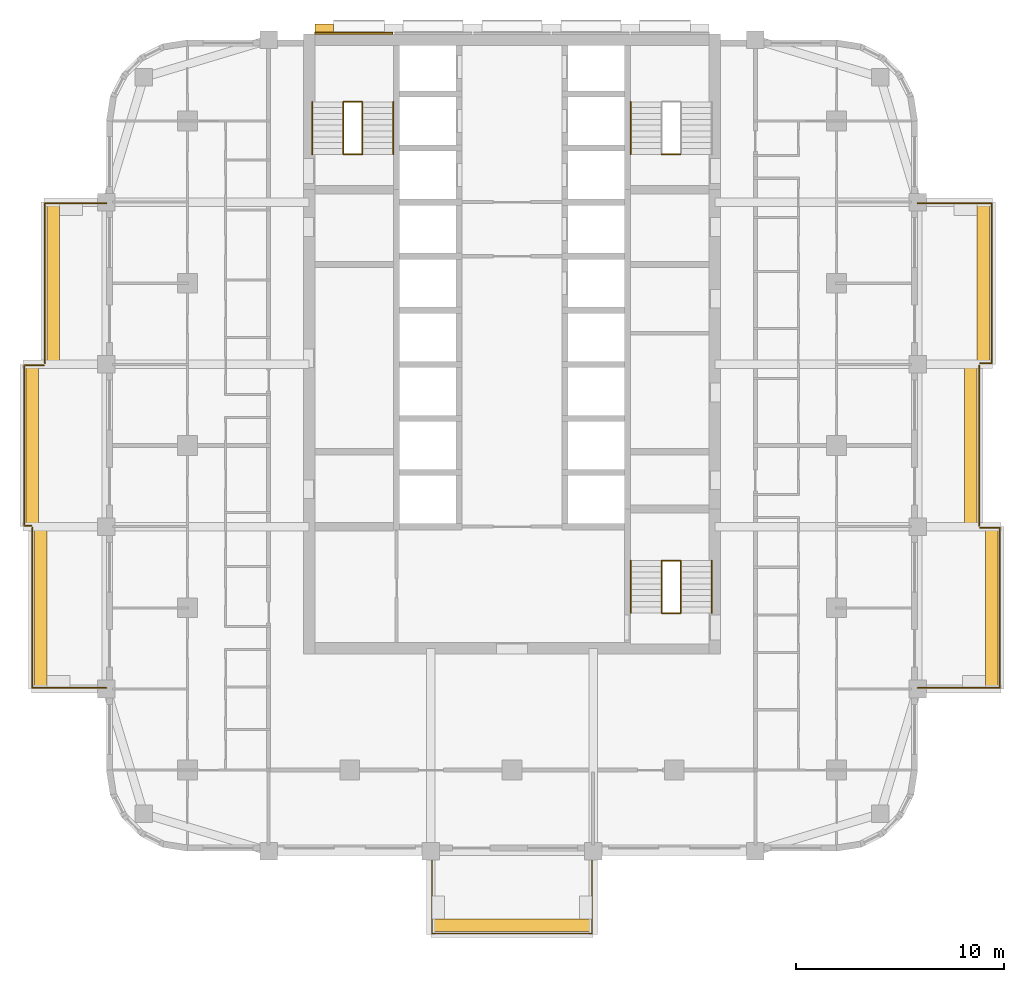
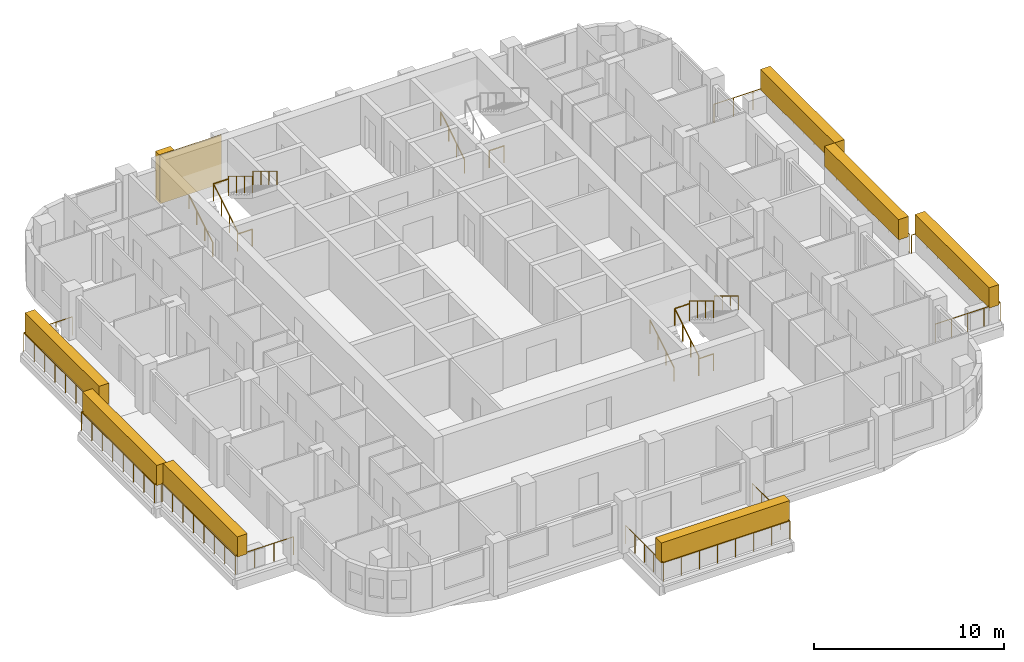
# One storey, part 11 of 12: 21 railings, 9 coverings, 3 elements without a shape of their own.
"""IFC4 building model written with IfcOpenShell, lengths in metres."""

from ifc_helpers import new_model, si_unit, direction, frame, origin, origin_2d, place, context, subcontext, project, spatial, rectangle, circle, extrude, material, layer, layer_set, type_object, element, aggregate, save


model = new_model("IFC4")

# Units and contexts
model_context = context("Model", 3, precision=1e-05, world=origin(), true_north=direction((0.0, 1.0)))
body_context = subcontext(model_context, "Body", "Model", "MODEL_VIEW")
ifc_project = project(units=[si_unit("LENGTHUNIT", "METRE"), si_unit("AREAUNIT", "SQUARE_METRE"), si_unit("VOLUMEUNIT", "CUBIC_METRE"), si_unit("PLANEANGLEUNIT", "RADIAN"), si_unit("MASSUNIT", "GRAM", prefix="KILO")], contexts=[model_context])

# Site, building, storey
site_placement = place(None, origin())
site = spatial("IfcSite", under=ifc_project, at=site_placement, CompositionType="ELEMENT")
building_placement = place(site_placement, origin())
building = spatial("IfcBuilding", under=site, at=building_placement, Name="Ludao Terraces", CompositionType="ELEMENT")
storey_placement = place(building_placement, frame((0.0, 0.0, 137.300048828125)))
storey = spatial("IfcBuildingStorey", under=building, at=storey_placement, Name="L37", CompositionType="ELEMENT", Elevation=137.300048828125)

# Railings
ifc_material_1 = material(Name="Stainless steel 304", Category="steel")
railing_type_1 = type_object("IfcRailingType", Name="ENV Balcony glass guard 1200", PredefinedType="GUARDRAIL", material=ifc_material_1)
railing_1_placement = place(storey_placement, frame((81.14990234375, 45.5, 0.0)))
element("IfcRailing", 1, at=railing_1_placement, inside=storey, type_object=railing_type_1, Name="Balcony guard L37 S1", PredefinedType="GUARDRAIL", context=body_context, shape_type="SweptSolid", body=[
    extrude(circle(Radius=0.02392578125, at=origin_2d()), frame((0.0, 0.0, 1.17578125), z_axis=(0.0, -1.0, 0.0), x_axis=(1.0, 0.0, 0.0)), (0.0, 0.0, 1.0), 3.949951171875),
    extrude(circle(Radius=0.02392578125, at=origin_2d()), frame((0.0, -3.949951171875, 1.17578125), z_axis=(1.0, 0.0, 0.0), x_axis=(0.0, 1.0, 0.0)), (0.0, 0.0, 1.0), 7.7001953125),
    extrude(circle(Radius=0.02392578125, at=origin_2d()), frame((7.7001953125, -3.949951171875, 1.17578125), z_axis=(0.0, 1.0, 0.0), x_axis=(-1.0, 0.0, 0.0)), (0.0, 0.0, 1.0), 3.949951171875),
    extrude(circle(Radius=0.02099609375, at=origin_2d()), origin(), (0.0, 0.0, 1.0), 1.15185546875),
    extrude(circle(Radius=0.02099609375, at=origin_2d()), frame((0.0, -0.987548828125, 0.0)), (0.0, 0.0, 1.0), 1.15185546875),
    extrude(circle(Radius=0.02099609375, at=origin_2d()), frame((0.0, -1.97509765625, 0.0)), (0.0, 0.0, 1.0), 1.15185546875),
    extrude(circle(Radius=0.02099609375, at=origin_2d()), frame((0.0, -2.96240234375, 0.0)), (0.0, 0.0, 1.0), 1.15185546875),
    extrude(circle(Radius=0.02099609375, at=origin_2d()), frame((0.0, -3.949951171875, 0.0)), (0.0, 0.0, 1.0), 1.15185546875),
    extrude(circle(Radius=0.02099609375, at=origin_2d()), frame((1.10009765625, -3.949951171875, 0.0)), (0.0, 0.0, 1.0), 1.15185546875),
    extrude(circle(Radius=0.02099609375, at=origin_2d()), frame((2.199951171875, -3.949951171875, 0.0)), (0.0, 0.0, 1.0), 1.15185546875),
    extrude(circle(Radius=0.02099609375, at=origin_2d()), frame((3.300048828125, -3.949951171875, 0.0)), (0.0, 0.0, 1.0), 1.15185546875),
    extrude(circle(Radius=0.02099609375, at=origin_2d()), frame((4.400146484375, -3.949951171875, 0.0)), (0.0, 0.0, 1.0), 1.15185546875),
    extrude(circle(Radius=0.02099609375, at=origin_2d()), frame((5.500244140625, -3.949951171875, 0.0)), (0.0, 0.0, 1.0), 1.15185546875),
    extrude(circle(Radius=0.02099609375, at=origin_2d()), frame((6.60009765625, -3.949951171875, 0.0)), (0.0, 0.0, 1.0), 1.15185546875),
    extrude(circle(Radius=0.02099609375, at=origin_2d()), frame((7.7001953125, -3.949951171875, 0.0)), (0.0, 0.0, 1.0), 1.15185546875),
    extrude(circle(Radius=0.02099609375, at=origin_2d()), frame((7.7001953125, -2.96240234375, 0.0)), (0.0, 0.0, 1.0), 1.15185546875),
    extrude(circle(Radius=0.02099609375, at=origin_2d()), frame((7.7001953125, -1.97509765625, 0.0)), (0.0, 0.0, 1.0), 1.15185546875),
    extrude(circle(Radius=0.02099609375, at=origin_2d()), frame((7.7001953125, -0.987548828125, 0.0)), (0.0, 0.0, 1.0), 1.15185546875),
    extrude(circle(Radius=0.02099609375, at=origin_2d()), frame((7.7001953125, 0.0, 0.0)), (0.0, 0.0, 1.0), 1.15185546875),
])
railing_2_placement = place(storey_placement, frame((104.5, 53.35009765625, 0.0)))
element("IfcRailing", 2, at=railing_2_placement, inside=storey, type_object=railing_type_1, Name="Balcony guard L37 E1", PredefinedType="GUARDRAIL", context=body_context, shape_type="SweptSolid", body=[
    extrude(circle(Radius=0.02392578125, at=origin_2d()), frame((0.0, 0.0, 1.17578125), z_axis=(1.0, 0.0, 0.0), x_axis=(0.0, 1.0, 0.0)), (0.0, 0.0, 1.0), 3.949951171875),
    extrude(circle(Radius=0.02392578125, at=origin_2d()), frame((3.949951171875, 0.0, 1.17578125), z_axis=(0.0, 1.0, 0.0), x_axis=(-1.0, 0.0, 0.0)), (0.0, 0.0, 1.0), 7.699951171875),
    extrude(circle(Radius=0.02392578125, at=origin_2d()), frame((3.949951171875, 7.699951171875, 1.17578125), z_axis=(-1.0, 0.0, 0.0), x_axis=(0.0, -1.0, 0.0)), (0.0, 0.0, 1.0), 0.949951171875),
    extrude(circle(Radius=0.02099609375, at=origin_2d()), origin(), (0.0, 0.0, 1.0), 1.15185546875),
    extrude(circle(Radius=0.02099609375, at=origin_2d()), frame((0.987548828125, 0.0, 0.0)), (0.0, 0.0, 1.0), 1.15185546875),
    extrude(circle(Radius=0.02099609375, at=origin_2d()), frame((1.97509765625, 0.0, 0.0)), (0.0, 0.0, 1.0), 1.15185546875),
    extrude(circle(Radius=0.02099609375, at=origin_2d()), frame((2.96240234375, 0.0, 0.0)), (0.0, 0.0, 1.0), 1.15185546875),
    extrude(circle(Radius=0.02099609375, at=origin_2d()), frame((3.949951171875, 0.0, 0.0)), (0.0, 0.0, 1.0), 1.15185546875),
    extrude(circle(Radius=0.02099609375, at=origin_2d()), frame((3.949951171875, 1.10009765625, 0.0)), (0.0, 0.0, 1.0), 1.15185546875),
    extrude(circle(Radius=0.02099609375, at=origin_2d()), frame((3.949951171875, 2.199951171875, 0.0)), (0.0, 0.0, 1.0), 1.15185546875),
    extrude(circle(Radius=0.02099609375, at=origin_2d()), frame((3.949951171875, 3.300048828125, 0.0)), (0.0, 0.0, 1.0), 1.15185546875),
    extrude(circle(Radius=0.02099609375, at=origin_2d()), frame((3.949951171875, 4.39990234375, 0.0)), (0.0, 0.0, 1.0), 1.15185546875),
    extrude(circle(Radius=0.02099609375, at=origin_2d()), frame((3.949951171875, 5.5, 0.0)), (0.0, 0.0, 1.0), 1.15185546875),
    extrude(circle(Radius=0.02099609375, at=origin_2d()), frame((3.949951171875, 6.599853515625, 0.0)), (0.0, 0.0, 1.0), 1.15185546875),
    extrude(circle(Radius=0.02099609375, at=origin_2d()), frame((3.949951171875, 7.699951171875, 0.0)), (0.0, 0.0, 1.0), 1.15185546875),
    extrude(circle(Radius=0.02099609375, at=origin_2d()), frame((3.0, 7.699951171875, 0.0)), (0.0, 0.0, 1.0), 1.15185546875),
])
railing_3_placement = place(storey_placement, frame((107.449951171875, 61.14990234375, 0.0)))
element("IfcRailing", 3, at=railing_3_placement, inside=storey, type_object=railing_type_1, Name="Balcony guard L37 E2", PredefinedType="GUARDRAIL", context=body_context, shape_type="SweptSolid", body=[
    extrude(circle(Radius=0.02392578125, at=origin_2d()), frame((0.0, 0.0, 1.17578125), z_axis=(0.0, 1.0, 0.0), x_axis=(-1.0, 0.0, 0.0)), (0.0, 0.0, 1.0), 7.7001953125),
    extrude(circle(Radius=0.02099609375, at=origin_2d()), origin(), (0.0, 0.0, 1.0), 1.15185546875),
    extrude(circle(Radius=0.02099609375, at=origin_2d()), frame((0.0, 1.10009765625, 0.0)), (0.0, 0.0, 1.0), 1.15185546875),
    extrude(circle(Radius=0.02099609375, at=origin_2d()), frame((0.0, 2.199951171875, 0.0)), (0.0, 0.0, 1.0), 1.15185546875),
    extrude(circle(Radius=0.02099609375, at=origin_2d()), frame((0.0, 3.300048828125, 0.0)), (0.0, 0.0, 1.0), 1.15185546875),
    extrude(circle(Radius=0.02099609375, at=origin_2d()), frame((0.0, 4.400146484375, 0.0)), (0.0, 0.0, 1.0), 1.15185546875),
    extrude(circle(Radius=0.02099609375, at=origin_2d()), frame((0.0, 5.500244140625, 0.0)), (0.0, 0.0, 1.0), 1.15185546875),
    extrude(circle(Radius=0.02099609375, at=origin_2d()), frame((0.0, 6.60009765625, 0.0)), (0.0, 0.0, 1.0), 1.15185546875),
    extrude(circle(Radius=0.02099609375, at=origin_2d()), frame((0.0, 7.7001953125, 0.0)), (0.0, 0.0, 1.0), 1.15185546875),
])
railing_4_placement = place(storey_placement, frame((107.5, 68.949951171875, 0.0)))
element("IfcRailing", 4, at=railing_4_placement, inside=storey, type_object=railing_type_1, Name="Balcony guard L37 E3", PredefinedType="GUARDRAIL", context=body_context, shape_type="SweptSolid", body=[
    extrude(circle(Radius=0.02392578125, at=origin_2d()), frame((0.0, 0.0, 1.17578125), z_axis=(1.0, 0.0, 0.0), x_axis=(0.0, 1.0, 0.0)), (0.0, 0.0, 1.0), 0.550048828125),
    extrude(circle(Radius=0.02392578125, at=origin_2d()), frame((0.550048828125, 0.0, 1.17578125), z_axis=(0.0, 1.0, 0.0), x_axis=(-1.0, 0.0, 0.0)), (0.0, 0.0, 1.0), 7.699951171875),
    extrude(circle(Radius=0.02392578125, at=origin_2d()), frame((0.550048828125, 7.699951171875, 1.17578125), z_axis=(-1.0, 0.0, 0.0), x_axis=(0.0, -1.0, 0.0)), (0.0, 0.0, 1.0), 3.550048828125),
    extrude(circle(Radius=0.02099609375, at=origin_2d()), origin(), (0.0, 0.0, 1.0), 1.15185546875),
    extrude(circle(Radius=0.02099609375, at=origin_2d()), frame((0.550048828125, 0.0, 0.0)), (0.0, 0.0, 1.0), 1.15185546875),
    extrude(circle(Radius=0.02099609375, at=origin_2d()), frame((0.550048828125, 1.10009765625, 0.0)), (0.0, 0.0, 1.0), 1.15185546875),
    extrude(circle(Radius=0.02099609375, at=origin_2d()), frame((0.550048828125, 2.199951171875, 0.0)), (0.0, 0.0, 1.0), 1.15185546875),
    extrude(circle(Radius=0.02099609375, at=origin_2d()), frame((0.550048828125, 3.300048828125, 0.0)), (0.0, 0.0, 1.0), 1.15185546875),
    extrude(circle(Radius=0.02099609375, at=origin_2d()), frame((0.550048828125, 4.39990234375, 0.0)), (0.0, 0.0, 1.0), 1.15185546875),
    extrude(circle(Radius=0.02099609375, at=origin_2d()), frame((0.550048828125, 5.5, 0.0)), (0.0, 0.0, 1.0), 1.15185546875),
    extrude(circle(Radius=0.02099609375, at=origin_2d()), frame((0.550048828125, 6.599853515625, 0.0)), (0.0, 0.0, 1.0), 1.15185546875),
    extrude(circle(Radius=0.02099609375, at=origin_2d()), frame((0.550048828125, 7.699951171875, 0.0)), (0.0, 0.0, 1.0), 1.15185546875),
    extrude(circle(Radius=0.02099609375, at=origin_2d()), frame((-0.63330078125, 7.699951171875, 0.0)), (0.0, 0.0, 1.0), 1.15185546875),
    extrude(circle(Radius=0.02099609375, at=origin_2d()), frame((-1.816650390625, 7.699951171875, 0.0)), (0.0, 0.0, 1.0), 1.15185546875),
    extrude(circle(Radius=0.02099609375, at=origin_2d()), frame((-3.0, 7.699951171875, 0.0)), (0.0, 0.0, 1.0), 1.15185546875),
])
railing_5_placement = place(storey_placement, frame((65.5, 53.35009765625, 0.0)))
element("IfcRailing", 5, at=railing_5_placement, inside=storey, type_object=railing_type_1, Name="Balcony guard L37 W1", PredefinedType="GUARDRAIL", context=body_context, shape_type="SweptSolid", body=[
    extrude(circle(Radius=0.02392578125, at=origin_2d()), frame((0.0, 0.0, 1.17578125), z_axis=(-1.0, 0.0, 0.0), x_axis=(0.0, -1.0, 0.0)), (0.0, 0.0, 1.0), 3.550048828125),
    extrude(circle(Radius=0.02392578125, at=origin_2d()), frame((-3.550048828125, 0.0, 1.17578125), z_axis=(0.0, 1.0, 0.0), x_axis=(-1.0, 0.0, 0.0)), (0.0, 0.0, 1.0), 7.699951171875),
    extrude(circle(Radius=0.02099609375, at=origin_2d()), origin(), (0.0, 0.0, 1.0), 1.15185546875),
    extrude(circle(Radius=0.02099609375, at=origin_2d()), frame((-1.183349609375, 0.0, 0.0)), (0.0, 0.0, 1.0), 1.15185546875),
    extrude(circle(Radius=0.02099609375, at=origin_2d()), frame((-2.36669921875, 0.0, 0.0)), (0.0, 0.0, 1.0), 1.15185546875),
    extrude(circle(Radius=0.02099609375, at=origin_2d()), frame((-3.550048828125, 0.0, 0.0)), (0.0, 0.0, 1.0), 1.15185546875),
    extrude(circle(Radius=0.02099609375, at=origin_2d()), frame((-3.550048828125, 1.10009765625, 0.0)), (0.0, 0.0, 1.0), 1.15185546875),
    extrude(circle(Radius=0.02099609375, at=origin_2d()), frame((-3.550048828125, 2.199951171875, 0.0)), (0.0, 0.0, 1.0), 1.15185546875),
    extrude(circle(Radius=0.02099609375, at=origin_2d()), frame((-3.550048828125, 3.300048828125, 0.0)), (0.0, 0.0, 1.0), 1.15185546875),
    extrude(circle(Radius=0.02099609375, at=origin_2d()), frame((-3.550048828125, 4.39990234375, 0.0)), (0.0, 0.0, 1.0), 1.15185546875),
    extrude(circle(Radius=0.02099609375, at=origin_2d()), frame((-3.550048828125, 5.5, 0.0)), (0.0, 0.0, 1.0), 1.15185546875),
    extrude(circle(Radius=0.02099609375, at=origin_2d()), frame((-3.550048828125, 6.599853515625, 0.0)), (0.0, 0.0, 1.0), 1.15185546875),
    extrude(circle(Radius=0.02099609375, at=origin_2d()), frame((-3.550048828125, 7.699951171875, 0.0)), (0.0, 0.0, 1.0), 1.15185546875),
])
railing_6_placement = place(storey_placement, frame((61.89990234375, 61.14990234375, 0.0)))
element("IfcRailing", 6, at=railing_6_placement, inside=storey, type_object=railing_type_1, Name="Balcony guard L37 W2", PredefinedType="GUARDRAIL", context=body_context, shape_type="SweptSolid", body=[
    extrude(circle(Radius=0.02392578125, at=origin_2d()), frame((0.0, 0.0, 1.17578125), z_axis=(-1.0, 0.0, 0.0), x_axis=(0.0, -1.0, 0.0)), (0.0, 0.0, 1.0), 0.349853515625),
    extrude(circle(Radius=0.02392578125, at=origin_2d()), frame((-0.349853515625, 0.0, 1.17578125), z_axis=(0.0, 1.0, 0.0), x_axis=(-1.0, 0.0, 0.0)), (0.0, 0.0, 1.0), 7.7001953125),
    extrude(circle(Radius=0.02392578125, at=origin_2d()), frame((-0.349853515625, 7.7001953125, 1.17578125), z_axis=(1.0, 0.0, 0.0), x_axis=(0.0, 1.0, 0.0)), (0.0, 0.0, 1.0), 0.949951171875),
    extrude(circle(Radius=0.02099609375, at=origin_2d()), origin(), (0.0, 0.0, 1.0), 1.15185546875),
    extrude(circle(Radius=0.02099609375, at=origin_2d()), frame((-0.349853515625, 0.0, 0.0)), (0.0, 0.0, 1.0), 1.15185546875),
    extrude(circle(Radius=0.02099609375, at=origin_2d()), frame((-0.349853515625, 1.10009765625, 0.0)), (0.0, 0.0, 1.0), 1.15185546875),
    extrude(circle(Radius=0.02099609375, at=origin_2d()), frame((-0.349853515625, 2.199951171875, 0.0)), (0.0, 0.0, 1.0), 1.15185546875),
    extrude(circle(Radius=0.02099609375, at=origin_2d()), frame((-0.349853515625, 3.300048828125, 0.0)), (0.0, 0.0, 1.0), 1.15185546875),
    extrude(circle(Radius=0.02099609375, at=origin_2d()), frame((-0.349853515625, 4.400146484375, 0.0)), (0.0, 0.0, 1.0), 1.15185546875),
    extrude(circle(Radius=0.02099609375, at=origin_2d()), frame((-0.349853515625, 5.500244140625, 0.0)), (0.0, 0.0, 1.0), 1.15185546875),
    extrude(circle(Radius=0.02099609375, at=origin_2d()), frame((-0.349853515625, 6.60009765625, 0.0)), (0.0, 0.0, 1.0), 1.15185546875),
    extrude(circle(Radius=0.02099609375, at=origin_2d()), frame((-0.349853515625, 7.7001953125, 0.0)), (0.0, 0.0, 1.0), 1.15185546875),
    extrude(circle(Radius=0.02099609375, at=origin_2d()), frame((0.60009765625, 7.7001953125, 0.0)), (0.0, 0.0, 1.0), 1.15185546875),
])
railing_7_placement = place(storey_placement, frame((62.550048828125, 68.949951171875, 0.0)))
element("IfcRailing", 7, at=railing_7_placement, inside=storey, type_object=railing_type_1, Name="Balcony guard L37 W3", PredefinedType="GUARDRAIL", context=body_context, shape_type="SweptSolid", body=[
    extrude(circle(Radius=0.02392578125, at=origin_2d()), frame((0.0, 0.0, 1.17578125), z_axis=(0.0, 1.0, 0.0), x_axis=(-1.0, 0.0, 0.0)), (0.0, 0.0, 1.0), 7.699951171875),
    extrude(circle(Radius=0.02392578125, at=origin_2d()), frame((0.0, 7.699951171875, 1.17578125), z_axis=(1.0, 0.0, 0.0), x_axis=(0.0, 1.0, 0.0)), (0.0, 0.0, 1.0), 2.949951171875),
    extrude(circle(Radius=0.02099609375, at=origin_2d()), origin(), (0.0, 0.0, 1.0), 1.15185546875),
    extrude(circle(Radius=0.02099609375, at=origin_2d()), frame((0.0, 1.10009765625, 0.0)), (0.0, 0.0, 1.0), 1.15185546875),
    extrude(circle(Radius=0.02099609375, at=origin_2d()), frame((0.0, 2.199951171875, 0.0)), (0.0, 0.0, 1.0), 1.15185546875),
    extrude(circle(Radius=0.02099609375, at=origin_2d()), frame((0.0, 3.300048828125, 0.0)), (0.0, 0.0, 1.0), 1.15185546875),
    extrude(circle(Radius=0.02099609375, at=origin_2d()), frame((0.0, 4.39990234375, 0.0)), (0.0, 0.0, 1.0), 1.15185546875),
    extrude(circle(Radius=0.02099609375, at=origin_2d()), frame((0.0, 5.5, 0.0)), (0.0, 0.0, 1.0), 1.15185546875),
    extrude(circle(Radius=0.02099609375, at=origin_2d()), frame((0.0, 6.599853515625, 0.0)), (0.0, 0.0, 1.0), 1.15185546875),
    extrude(circle(Radius=0.02099609375, at=origin_2d()), frame((0.0, 7.699951171875, 0.0)), (0.0, 0.0, 1.0), 1.15185546875),
    extrude(circle(Radius=0.02099609375, at=origin_2d()), frame((0.9833984375, 7.699951171875, 0.0)), (0.0, 0.0, 1.0), 1.15185546875),
    extrude(circle(Radius=0.02099609375, at=origin_2d()), frame((1.966552734375, 7.699951171875, 0.0)), (0.0, 0.0, 1.0), 1.15185546875),
    extrude(circle(Radius=0.02099609375, at=origin_2d()), frame((2.949951171875, 7.699951171875, 0.0)), (0.0, 0.0, 1.0), 1.15185546875),
])

# Coverings
ifc_material_2 = material(Name="Granite cladding", Category="masonry")
ifc_layer_1 = layer(ifc_material_2, 0.39990234375)
ifc_layer_set_1 = layer_set([ifc_layer_1], Name="ENV Core pilaster stone 400")
covering_type_1 = type_object("IfcCoveringType", Name="ENV Core pilaster stone 400", PredefinedType="CLADDING", material=ifc_layer_set_1)
covering_1_placement = place(storey_placement, frame((75.97509765625, 85.054931640625, 0.0), z_axis=(0.0, 0.0, 1.0), x_axis=(1.0, 0.0, 0.0)))
element("IfcCovering", 8, at=covering_1_placement, inside=storey, type_object=covering_type_1, Name="CC-L37-PIL1", PredefinedType="CLADDING", context=body_context, shape_type="SweptSolid", body=[
    extrude(rectangle(XDim=0.89990234375, YDim=0.39990234375, at=origin_2d()), origin(), (0.0, 0.0, 1.0), 3.10009765625),
])
ifc_layer_2 = layer(ifc_material_2, 0.080078125)
ifc_layer_set_2 = layer_set([ifc_layer_2], Name="ENV Core stone cladding panel 80")
covering_type_2 = type_object("IfcCoveringType", Name="ENV Core stone cladding panel 80", PredefinedType="CLADDING", material=ifc_layer_set_2)
covering_2_placement = place(storey_placement, frame((77.39501953125, 84.81494140625, 0.0), z_axis=(0.0, 0.0, 1.0), x_axis=(1.0, 0.0, 0.0)))
element("IfcCovering", 9, at=covering_2_placement, inside=storey, type_object=covering_type_2, Name="CC-L37-CORE1", PredefinedType="CLADDING", context=body_context, shape_type="SweptSolid", body=[
    extrude(rectangle(XDim=3.739990234375, YDim=0.080078125, at=origin_2d()), origin(), (0.0, 0.0, 1.0), 3.10009765625),
])
ifc_material_3 = material(Name="Planting")
ifc_layer_3 = layer(ifc_material_3, 0.60009765625)
ifc_layer_set_3 = layer_set([ifc_layer_3], Name="ENV Planting hedge 600x1300")
covering_type_3 = type_object("IfcCoveringType", Name="ENV Planting hedge 600x1300", PredefinedType="USERDEFINED", material=ifc_layer_set_3)
covering_3_placement = place(storey_placement, frame((85.0, 41.949951171875, 1.10009765625), z_axis=(0.0, 0.0, 1.0), x_axis=(1.0, 0.0, 0.0)))
element("IfcCovering", 10, at=covering_3_placement, inside=storey, type_object=covering_type_3, Name="Planting hedge L37-S1", ObjectType="PLANTING", PredefinedType="USERDEFINED", context=body_context, shape_type="SweptSolid", body=[
    extrude(rectangle(XDim=7.800048828125, YDim=0.60009765625, at=origin_2d()), origin(), (0.0, 0.0, 1.0), 1.300048828125),
])
for number, where, z_axis, x_axis, name in (
    (11, (108.050048828125, 57.199951171875, 1.10009765625), (0.0, 0.0, 1.0), (1.0, 0.0, 0.0), "Planting hedge L37-E1"),
    (12, (107.050048828125, 65.0, 1.10009765625), (0.0, 0.0, 1.0), (1.0, 0.0, 0.0), "Planting hedge L37-E2"),
    (13, (107.64990234375, 72.800048828125, 1.10009765625), (0.0, 0.0, 1.0), (1.0, 0.0, 0.0), "Planting hedge L37-E3"),
    (14, (62.35009765625, 57.199951171875, 1.10009765625), (0.0, 0.0, 1.0), (1.0, 0.0, 0.0), "Planting hedge L37-W1"),
    (15, (61.949951171875, 65.0, 1.10009765625), (0.0, 0.0, 1.0), (1.0, 0.0, 0.0), "Planting hedge L37-W2"),
    (16, (62.949951171875, 72.800048828125, 1.10009765625), (0.0, 0.0, 1.0), (1.0, 0.0, 0.0), "Planting hedge L37-W3"),
):
    element("IfcCovering", number, at=place(storey_placement, frame(where, z_axis=z_axis, x_axis=x_axis)), inside=storey, type_object=covering_type_3, Name=name, ObjectType="PLANTING", PredefinedType="USERDEFINED", context=body_context, shape_type="SweptSolid", body=[
        extrude(rectangle(XDim=0.60009765625, YDim=7.800048828125, at=origin_2d()), origin(), (0.0, 0.0, 1.0), 1.300048828125),
    ])

# Stair, railings
ifc_material_4 = material(Name="Concrete C40", Category="concrete")
stair_type = type_object("IfcStairType", Name="INT Stair", PredefinedType="HALF_TURN_STAIR", material=ifc_material_4)
stair_1_placement = place(storey_placement, origin())
stair_1 = element("IfcStair", 17, at=stair_1_placement, inside=storey, type_object=stair_type, Name="EXIT STAIR 1", PredefinedType="HALF_TURN_STAIR")
railing_type_2 = type_object("IfcRailingType", Name="INT Stair guard 1100", PredefinedType="GUARDRAIL", material=ifc_material_1)
railing_8_placement = place(storey_placement, frame((76.89990234375, 79.0, 0.169921875)))
railing_8 = element("IfcRailing", 18, at=railing_8_placement, type_object=railing_type_2, Name="ST-L37-S1-R1G", PredefinedType="GUARDRAIL", context=body_context, shape_type="SweptSolid", body=[
    extrude(circle(Radius=0.02392578125, at=origin_2d()), frame((0.0, 0.0, 1.076171875), z_axis=(0.0, 0.85478489116, 0.518982456201), x_axis=(-1.0, 0.0, 0.0)), (0.0, 0.0, 1.0), 2.9482421875),
    extrude(circle(Radius=0.02099609375, at=origin_2d()), origin(), (0.0, 0.0, 1.0), 1.052001953125),
    extrude(circle(Radius=0.02099609375, at=origin_2d()), frame((0.0, 0.840087890625, 0.510009765625)), (0.0, 0.0, 1.0), 1.052001953125),
    extrude(circle(Radius=0.02099609375, at=origin_2d()), frame((0.0, 1.679931640625, 1.02001953125)), (0.0, 0.0, 1.0), 1.052001953125),
    extrude(circle(Radius=0.02099609375, at=origin_2d()), frame((0.0, 2.52001953125, 1.530029296875)), (0.0, 0.0, 1.0), 1.052001953125),
])
railing_9_placement = place(storey_placement, frame((77.800048828125, 81.52001953125, 1.869873046875)))
railing_9 = element("IfcRailing", 19, at=railing_9_placement, type_object=railing_type_2, Name="ST-L37-S1-R2G", PredefinedType="GUARDRAIL", context=body_context, shape_type="SweptSolid", body=[
    extrude(circle(Radius=0.02392578125, at=origin_2d()), frame((0.0, 0.0, 1.076171875), z_axis=(0.0, -0.85478489116, 0.518982456201), x_axis=(1.0, 0.0, 0.0)), (0.0, 0.0, 1.0), 2.9482421875),
    extrude(circle(Radius=0.02099609375, at=origin_2d()), origin(), (0.0, 0.0, 1.0), 1.052001953125),
    extrude(circle(Radius=0.02099609375, at=origin_2d()), frame((0.0, -0.840087890625, 0.510009765625)), (0.0, 0.0, 1.0), 1.052001953125),
    extrude(circle(Radius=0.02099609375, at=origin_2d()), frame((0.0, -1.679931640625, 1.02001953125)), (0.0, 0.0, 1.0), 1.052001953125),
    extrude(circle(Radius=0.02099609375, at=origin_2d()), frame((0.0, -2.52001953125, 1.530029296875)), (0.0, 0.0, 1.0), 1.052001953125),
])
railing_10_placement = place(storey_placement, frame((76.89990234375, 81.52001953125, 1.699951171875)))
railing_10 = element("IfcRailing", 20, at=railing_10_placement, type_object=railing_type_2, Name="ST-L37-S1-E1G", PredefinedType="GUARDRAIL", context=body_context, shape_type="SweptSolid", body=[
    extrude(circle(Radius=0.02392578125, at=origin_2d()), frame((0.0, 0.0, 1.076171875), z_axis=(1.0, 0.0, 0.0), x_axis=(0.0, 1.0, 0.0)), (0.0, 0.0, 1.0), 0.900146484375),
    extrude(circle(Radius=0.02099609375, at=origin_2d()), origin(), (0.0, 0.0, 1.0), 1.052001953125),
    extrude(circle(Radius=0.02099609375, at=origin_2d()), frame((0.900146484375, 0.0, 0.0)), (0.0, 0.0, 1.0), 1.052001953125),
])
railing_11_placement = place(storey_placement, frame((76.89990234375, 79.0, 0.0)))
railing_11 = element("IfcRailing", 21, at=railing_11_placement, type_object=railing_type_2, Name="ST-L37-S1-E2G", PredefinedType="GUARDRAIL", context=body_context, shape_type="SweptSolid", body=[
    extrude(circle(Radius=0.02392578125, at=origin_2d()), frame((0.0, 0.0, 1.076171875), z_axis=(1.0, 0.0, 0.0), x_axis=(0.0, 1.0, 0.0)), (0.0, 0.0, 1.0), 0.900146484375),
    extrude(circle(Radius=0.02099609375, at=origin_2d()), origin(), (0.0, 0.0, 1.0), 1.052001953125),
    extrude(circle(Radius=0.02099609375, at=origin_2d()), frame((0.900146484375, 0.0, 0.0)), (0.0, 0.0, 1.0), 1.052001953125),
])

# Stair, railing
stair_2_placement = place(storey_placement, origin())
stair_2 = element("IfcStair", 22, at=stair_2_placement, inside=storey, type_object=stair_type, Name="EXIT STAIR 2", PredefinedType="HALF_TURN_STAIR")
railing_12_placement = place(storey_placement, frame((92.199951171875, 79.0, 0.0)))
railing_12 = element("IfcRailing", 23, at=railing_12_placement, type_object=railing_type_2, Name="ST-L37-S2-E2G", PredefinedType="GUARDRAIL", context=body_context, shape_type="SweptSolid", body=[
    extrude(circle(Radius=0.02392578125, at=origin_2d()), frame((0.0, 0.0, 1.076171875), z_axis=(1.0, 0.0, 0.0), x_axis=(0.0, 1.0, 0.0)), (0.0, 0.0, 1.0), 0.900146484375),
    extrude(circle(Radius=0.02099609375, at=origin_2d()), origin(), (0.0, 0.0, 1.0), 1.052001953125),
    extrude(circle(Radius=0.02099609375, at=origin_2d()), frame((0.900146484375, 0.0, 0.0)), (0.0, 0.0, 1.0), 1.052001953125),
])

# Stair, railings
stair_3_placement = place(storey_placement, origin())
stair_3 = element("IfcStair", 24, at=stair_3_placement, inside=storey, type_object=stair_type, Name="EXIT STAIR 3", PredefinedType="HALF_TURN_STAIR")
railing_13_placement = place(storey_placement, frame((92.199951171875, 56.949951171875, 0.169921875)))
railing_13 = element("IfcRailing", 25, at=railing_13_placement, type_object=railing_type_2, Name="ST-L37-S3-R1G", PredefinedType="GUARDRAIL", context=body_context, shape_type="SweptSolid", body=[
    extrude(circle(Radius=0.02392578125, at=origin_2d()), frame((0.0, 0.0, 1.076171875), z_axis=(0.0, 0.85478489116, 0.518982456201), x_axis=(-1.0, 0.0, 0.0)), (0.0, 0.0, 1.0), 2.9482421875),
    extrude(circle(Radius=0.02099609375, at=origin_2d()), origin(), (0.0, 0.0, 1.0), 1.052001953125),
    extrude(circle(Radius=0.02099609375, at=origin_2d()), frame((0.0, 0.840087890625, 0.510009765625)), (0.0, 0.0, 1.0), 1.052001953125),
    extrude(circle(Radius=0.02099609375, at=origin_2d()), frame((0.0, 1.679931640625, 1.02001953125)), (0.0, 0.0, 1.0), 1.052001953125),
    extrude(circle(Radius=0.02099609375, at=origin_2d()), frame((0.0, 2.52001953125, 1.530029296875)), (0.0, 0.0, 1.0), 1.052001953125),
])
railing_14_placement = place(storey_placement, frame((93.10009765625, 59.469970703125, 1.869873046875)))
railing_14 = element("IfcRailing", 26, at=railing_14_placement, type_object=railing_type_2, Name="ST-L37-S3-R2G", PredefinedType="GUARDRAIL", context=body_context, shape_type="SweptSolid", body=[
    extrude(circle(Radius=0.02392578125, at=origin_2d()), frame((0.0, 0.0, 1.076171875), z_axis=(0.0, -0.85478489116, 0.518982456201), x_axis=(1.0, 0.0, 0.0)), (0.0, 0.0, 1.0), 2.9482421875),
    extrude(circle(Radius=0.02099609375, at=origin_2d()), origin(), (0.0, 0.0, 1.0), 1.052001953125),
    extrude(circle(Radius=0.02099609375, at=origin_2d()), frame((0.0, -0.840087890625, 0.510009765625)), (0.0, 0.0, 1.0), 1.052001953125),
    extrude(circle(Radius=0.02099609375, at=origin_2d()), frame((0.0, -1.679931640625, 1.02001953125)), (0.0, 0.0, 1.0), 1.052001953125),
    extrude(circle(Radius=0.02099609375, at=origin_2d()), frame((0.0, -2.52001953125, 1.530029296875)), (0.0, 0.0, 1.0), 1.052001953125),
])
railing_15_placement = place(storey_placement, frame((92.199951171875, 59.469970703125, 1.699951171875)))
railing_15 = element("IfcRailing", 27, at=railing_15_placement, type_object=railing_type_2, Name="ST-L37-S3-E1G", PredefinedType="GUARDRAIL", context=body_context, shape_type="SweptSolid", body=[
    extrude(circle(Radius=0.02392578125, at=origin_2d()), frame((0.0, 0.0, 1.076171875), z_axis=(1.0, 0.0, 0.0), x_axis=(0.0, 1.0, 0.0)), (0.0, 0.0, 1.0), 0.900146484375),
    extrude(circle(Radius=0.02099609375, at=origin_2d()), origin(), (0.0, 0.0, 1.0), 1.052001953125),
    extrude(circle(Radius=0.02099609375, at=origin_2d()), frame((0.900146484375, 0.0, 0.0)), (0.0, 0.0, 1.0), 1.052001953125),
])
railing_16_placement = place(storey_placement, frame((92.199951171875, 56.949951171875, 0.0)))
railing_16 = element("IfcRailing", 28, at=railing_16_placement, type_object=railing_type_2, Name="ST-L37-S3-E2G", PredefinedType="GUARDRAIL", context=body_context, shape_type="SweptSolid", body=[
    extrude(circle(Radius=0.02392578125, at=origin_2d()), frame((0.0, 0.0, 1.076171875), z_axis=(1.0, 0.0, 0.0), x_axis=(0.0, 1.0, 0.0)), (0.0, 0.0, 1.0), 0.900146484375),
    extrude(circle(Radius=0.02099609375, at=origin_2d()), origin(), (0.0, 0.0, 1.0), 1.052001953125),
    extrude(circle(Radius=0.02099609375, at=origin_2d()), frame((0.900146484375, 0.0, 0.0)), (0.0, 0.0, 1.0), 1.052001953125),
])

# Railing
railing_type_3 = type_object("IfcRailingType", Name="INT Stair handrail 900", PredefinedType="HANDRAIL", material=ifc_material_1)
railing_17_placement = place(storey_placement, frame((75.39990234375, 79.0, 0.169921875)))
railing_17 = element("IfcRailing", 29, at=railing_17_placement, type_object=railing_type_3, Name="ST-L37-S1-R1H", PredefinedType="HANDRAIL", context=body_context, shape_type="SweptSolid", body=[
    extrude(circle(Radius=0.02392578125, at=origin_2d()), frame((0.0, 0.0, 0.8759765625), z_axis=(0.0, 0.85478489116, 0.518982456201), x_axis=(-1.0, 0.0, 0.0)), (0.0, 0.0, 1.0), 2.9482421875),
    extrude(circle(Radius=0.02099609375, at=origin_2d()), origin(), (0.0, 0.0, 1.0), 0.851806640625),
    extrude(circle(Radius=0.02099609375, at=origin_2d()), frame((0.0, 0.840087890625, 0.510009765625)), (0.0, 0.0, 1.0), 0.851806640625),
    extrude(circle(Radius=0.02099609375, at=origin_2d()), frame((0.0, 1.679931640625, 1.02001953125)), (0.0, 0.0, 1.0), 0.851806640625),
    extrude(circle(Radius=0.02099609375, at=origin_2d()), frame((0.0, 2.52001953125, 1.530029296875)), (0.0, 0.0, 1.0), 0.851806640625),
])

railing_18_placement = place(storey_placement, frame((79.300048828125, 81.52001953125, 1.869873046875)))
railing_18 = element("IfcRailing", 30, at=railing_18_placement, type_object=railing_type_3, Name="ST-L37-S1-R2H", PredefinedType="HANDRAIL", context=body_context, shape_type="SweptSolid", body=[
    extrude(circle(Radius=0.02392578125, at=origin_2d()), frame((0.0, 0.0, 0.8759765625), z_axis=(0.0, -0.85478489116, 0.518982456201), x_axis=(1.0, 0.0, 0.0)), (0.0, 0.0, 1.0), 2.9482421875),
    extrude(circle(Radius=0.02099609375, at=origin_2d()), origin(), (0.0, 0.0, 1.0), 0.851806640625),
    extrude(circle(Radius=0.02099609375, at=origin_2d()), frame((0.0, -0.840087890625, 0.510009765625)), (0.0, 0.0, 1.0), 0.851806640625),
    extrude(circle(Radius=0.02099609375, at=origin_2d()), frame((0.0, -1.679931640625, 1.02001953125)), (0.0, 0.0, 1.0), 0.851806640625),
    extrude(circle(Radius=0.02099609375, at=origin_2d()), frame((0.0, -2.52001953125, 1.530029296875)), (0.0, 0.0, 1.0), 0.851806640625),
])

aggregate(stair_1, [railing_8, railing_17, railing_9, railing_18, railing_10, railing_11])

railing_19_placement = place(storey_placement, frame((90.699951171875, 79.0, 0.169921875)))
railing_19 = element("IfcRailing", 31, at=railing_19_placement, type_object=railing_type_3, Name="ST-L37-S2-R1H", PredefinedType="HANDRAIL", context=body_context, shape_type="SweptSolid", body=[
    extrude(circle(Radius=0.02392578125, at=origin_2d()), frame((0.0, 0.0, 0.8759765625), z_axis=(0.0, 0.85478489116, 0.518982456201), x_axis=(-1.0, 0.0, 0.0)), (0.0, 0.0, 1.0), 2.9482421875),
    extrude(circle(Radius=0.02099609375, at=origin_2d()), origin(), (0.0, 0.0, 1.0), 0.851806640625),
    extrude(circle(Radius=0.02099609375, at=origin_2d()), frame((0.0, 0.840087890625, 0.510009765625)), (0.0, 0.0, 1.0), 0.851806640625),
    extrude(circle(Radius=0.02099609375, at=origin_2d()), frame((0.0, 1.679931640625, 1.02001953125)), (0.0, 0.0, 1.0), 0.851806640625),
    extrude(circle(Radius=0.02099609375, at=origin_2d()), frame((0.0, 2.52001953125, 1.530029296875)), (0.0, 0.0, 1.0), 0.851806640625),
])

aggregate(stair_2, [railing_19, railing_12])

railing_20_placement = place(storey_placement, frame((90.699951171875, 56.949951171875, 0.169921875)))
railing_20 = element("IfcRailing", 32, at=railing_20_placement, type_object=railing_type_3, Name="ST-L37-S3-R1H", PredefinedType="HANDRAIL", context=body_context, shape_type="SweptSolid", body=[
    extrude(circle(Radius=0.02392578125, at=origin_2d()), frame((0.0, 0.0, 0.8759765625), z_axis=(0.0, 0.85478489116, 0.518982456201), x_axis=(-1.0, 0.0, 0.0)), (0.0, 0.0, 1.0), 2.9482421875),
    extrude(circle(Radius=0.02099609375, at=origin_2d()), origin(), (0.0, 0.0, 1.0), 0.851806640625),
    extrude(circle(Radius=0.02099609375, at=origin_2d()), frame((0.0, 0.840087890625, 0.510009765625)), (0.0, 0.0, 1.0), 0.851806640625),
    extrude(circle(Radius=0.02099609375, at=origin_2d()), frame((0.0, 1.679931640625, 1.02001953125)), (0.0, 0.0, 1.0), 0.851806640625),
    extrude(circle(Radius=0.02099609375, at=origin_2d()), frame((0.0, 2.52001953125, 1.530029296875)), (0.0, 0.0, 1.0), 0.851806640625),
])

railing_21_placement = place(storey_placement, frame((94.60009765625, 59.469970703125, 1.869873046875)))
railing_21 = element("IfcRailing", 33, at=railing_21_placement, type_object=railing_type_3, Name="ST-L37-S3-R2H", PredefinedType="HANDRAIL", context=body_context, shape_type="SweptSolid", body=[
    extrude(circle(Radius=0.02392578125, at=origin_2d()), frame((0.0, 0.0, 0.8759765625), z_axis=(0.0, -0.85478489116, 0.518982456201), x_axis=(1.0, 0.0, 0.0)), (0.0, 0.0, 1.0), 2.9482421875),
    extrude(circle(Radius=0.02099609375, at=origin_2d()), origin(), (0.0, 0.0, 1.0), 0.851806640625),
    extrude(circle(Radius=0.02099609375, at=origin_2d()), frame((0.0, -0.840087890625, 0.510009765625)), (0.0, 0.0, 1.0), 0.851806640625),
    extrude(circle(Radius=0.02099609375, at=origin_2d()), frame((0.0, -1.679931640625, 1.02001953125)), (0.0, 0.0, 1.0), 0.851806640625),
    extrude(circle(Radius=0.02099609375, at=origin_2d()), frame((0.0, -2.52001953125, 1.530029296875)), (0.0, 0.0, 1.0), 0.851806640625),
])

aggregate(stair_3, [railing_13, railing_20, railing_14, railing_21, railing_15, railing_16])

save(model, "model.ifc")
